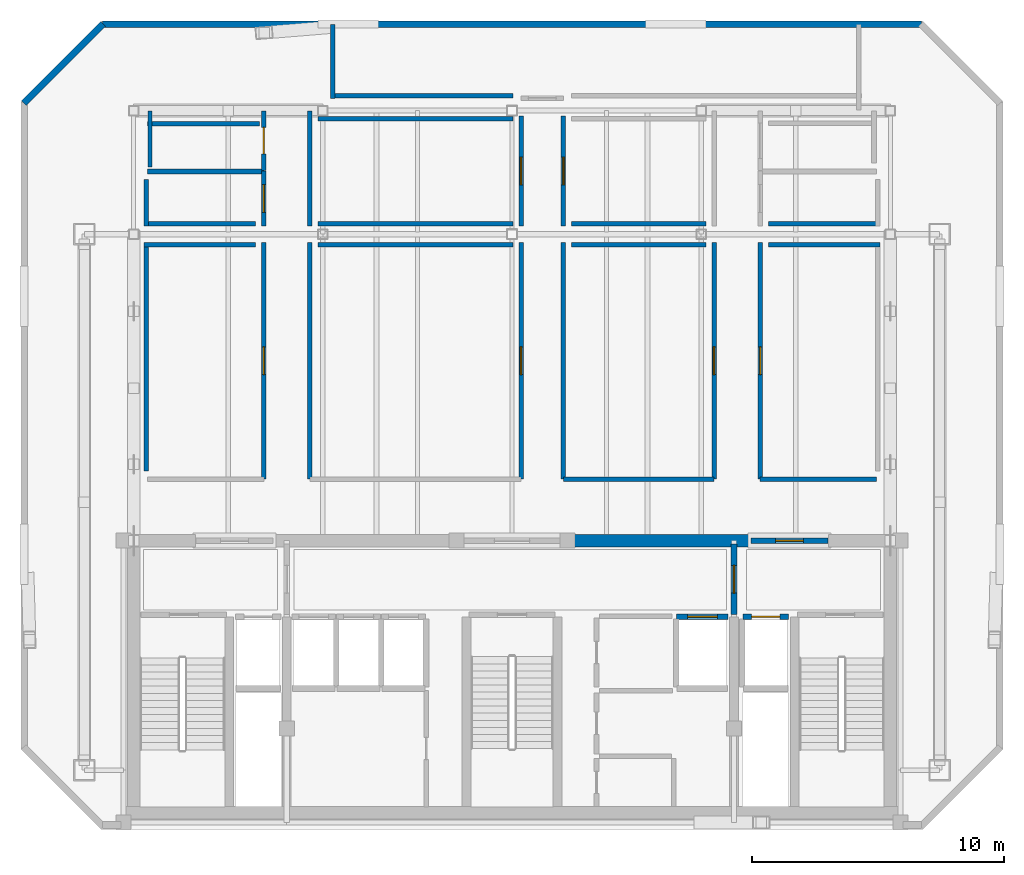
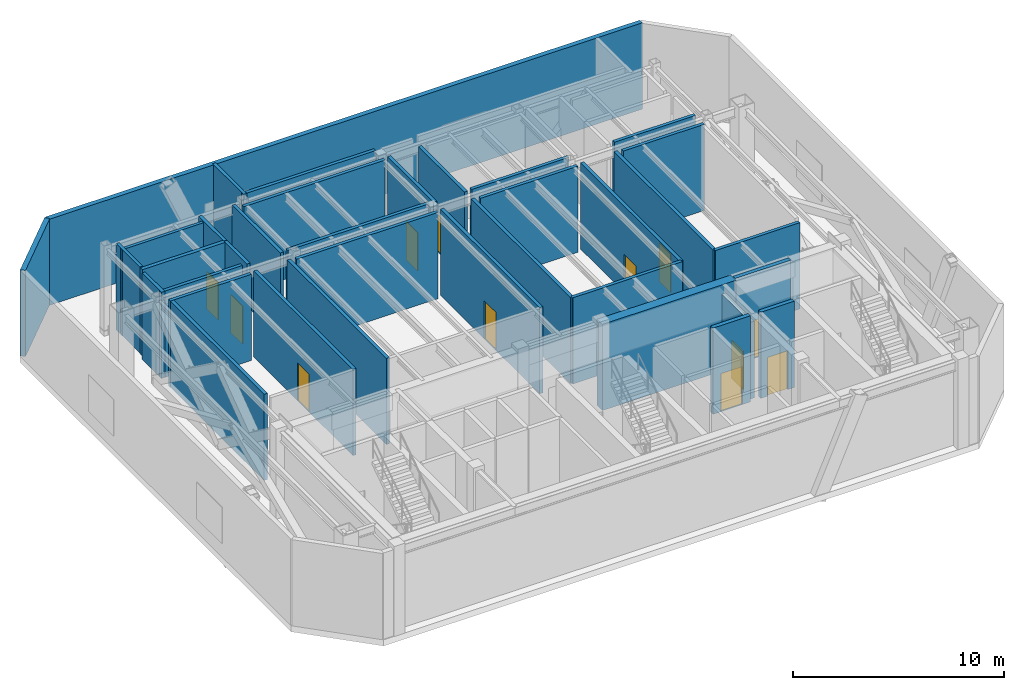
# One storey, part 4 of 7: 36 walls, 12 doors, 12 openings.
"""IFC4 building model written with IfcOpenShell, lengths in metres."""

from ifc_helpers import new_model, si_unit, direction, frame, frame_2d, origin, place, context, subcontext, project, spatial, rectangle, extrude, material, layer, layer_set, type_object, element, fill, save


model = new_model("IFC4")

# Units and contexts
model_context = context("Model", 3, precision=1e-05, world=origin(), true_north=direction((0.0, 1.0)))
body_context = subcontext(model_context, "Body", "Model", "MODEL_VIEW")
ifc_project = project(units=[si_unit("LENGTHUNIT", "METRE"), si_unit("AREAUNIT", "SQUARE_METRE"), si_unit("VOLUMEUNIT", "CUBIC_METRE"), si_unit("PLANEANGLEUNIT", "RADIAN"), si_unit("MASSUNIT", "GRAM", prefix="KILO")], contexts=[model_context])

# Site, building, storey
site_placement = place(None, origin())
site = spatial("IfcSite", under=ifc_project, at=site_placement, CompositionType="ELEMENT")
building_placement = place(site_placement, origin())
building = spatial("IfcBuilding", under=site, at=building_placement, Name="Ventersveld Concourse Tower", CompositionType="ELEMENT")
storey_placement = place(building_placement, frame((0.0, 0.0, 332.300048828125)))
storey = spatial("IfcBuildingStorey", under=building, at=storey_placement, Name="L82", CompositionType="ELEMENT", Elevation=332.300048828125)

# Wall
ifc_material_1 = material(Name="Concrete C50/60", Category="concrete")
ifc_layer_1 = layer(ifc_material_1, 0.5)
ifc_layer_set_1 = layer_set([ifc_layer_1], Name="Concrete C50/60")
wall_type_1 = type_object("IfcWallType", Name="WL-CORE-500", PredefinedType="SHEAR", material=ifc_layer_set_1)
wall_1_placement = place(storey_placement, frame((30.89990234375, 11.449951171875, 0.0), z_axis=(0.0, 0.0, 1.0), x_axis=(1.0, 0.0, 0.0)))
element("IfcWall", 1, at=wall_1_placement, inside=storey, type_object=wall_type_1, Name="L82 Rear Core North Shear Wall NMR", PredefinedType="SHEAR", context=body_context, shape_type="SweptSolid", body=[
    extrude(rectangle(XDim=7.300048828125, YDim=0.5, at=frame_2d((3.64990234375, 0.0))), origin(), (0.0, 0.0, 1.0), 4.97998046875),
])

# Wall, opening, door
ifc_material_2 = material(Name="Fire-rated autoclaved aerated masonry blockwork", Category="masonry")
ifc_layer_2 = layer(ifc_material_2, 0.179931640625)
ifc_layer_set_2 = layer_set([ifc_layer_2], Name="Fire-rated autoclaved aerated masonry blockwork")
wall_type_2 = type_object("IfcWallType", Name="WL-CORR-180", PredefinedType="PARTITIONING", material=ifc_layer_set_2)
wall_2_placement = place(storey_placement, frame((18.909912109375, 13.885009765625, 0.0), z_axis=(0.0, 0.0, 1.0), x_axis=(0.0, 1.0, 0.0)))
wall_2 = element("IfcWall", 2, at=wall_2_placement, inside=storey, type_object=wall_type_2, Name="L82 Interior Partition SP-L82-PCOR-SP-L82-REF-1", PredefinedType="PARTITIONING", context=body_context, shape_type="SweptSolid", body=[
    extrude(rectangle(XDim=9.389892578125, YDim=0.179931640625, at=frame_2d((4.69482421875, 0.0))), origin(), (0.0, 0.0, 1.0), 4.97998046875),
])
opening_1_placement = place(wall_2_placement, frame((4.14501953125, 0.0, 0.0)))
opening_1 = element("IfcOpeningElement", 3, at=opening_1_placement, cuts=wall_2, Name="Opening FD2", PredefinedType="OPENING", context=body_context, shape_type="SweptSolid", body=[
    extrude(rectangle(XDim=1.10009765625, YDim=2.199951171875, at=frame_2d((0.550048828125, 1.10009765625))), frame((0.0, 0.10009765625, 0.0), z_axis=(0.0, -1.0, 0.0), x_axis=(1.0, 0.0, 0.0)), (0.0, 0.0, 1.0), 0.199951171875),
])
ifc_material_3 = material(Name="Galvanised painted steel", Category="steel")
door_type_1 = type_object("IfcDoorType", Name="DR-FFL-110", OperationType="NOTDEFINED", PredefinedType="DOOR", material=ifc_material_3)
door_1_placement = place(opening_1_placement, origin())
door_1 = element("IfcDoor", 4, at=door_1_placement, inside=storey, type_object=door_type_1, Name="L82 Interior Door SP-L82-PCOR to SP-L82-REF-1 (FD-L82-3717)", OperationType="SINGLE_SWING_LEFT", OverallHeight=2.199951171875, OverallWidth=1.10009765625, PredefinedType="DOOR", context=body_context, shape_type="SweptSolid", body=[
    extrude(rectangle(XDim=1.10009765625, YDim=2.199951171875, at=frame_2d((0.550048828125, 1.10009765625))), frame((0.0, 0.02490234375, 0.0), z_axis=(0.0, -1.0, 0.0), x_axis=(1.0, 0.0, 0.0)), (0.0, 0.0, 1.0), 0.050048828125),
])
fill(opening_1, door_1)

wall_3_placement = place(storey_placement, frame((29.110107421875, 13.885009765625, 0.0), z_axis=(0.0, 0.0, 1.0), x_axis=(0.0, 1.0, 0.0)))
wall_3 = element("IfcWall", 5, at=wall_3_placement, inside=storey, type_object=wall_type_2, Name="L82 Interior Partition SP-L82-PCOR-SP-L82-REF-2", PredefinedType="PARTITIONING", context=body_context, shape_type="SweptSolid", body=[
    extrude(rectangle(XDim=9.389892578125, YDim=0.179931640625, at=frame_2d((4.69482421875, 0.0))), origin(), (0.0, 0.0, 1.0), 4.97998046875),
])
opening_2_placement = place(wall_3_placement, frame((4.14501953125, 0.0, 0.0)))
opening_2 = element("IfcOpeningElement", 6, at=opening_2_placement, cuts=wall_3, Name="Opening FD2", PredefinedType="OPENING", context=body_context, shape_type="SweptSolid", body=[
    extrude(rectangle(XDim=1.10009765625, YDim=2.199951171875, at=frame_2d((0.550048828125, 1.10009765625))), frame((0.0, 0.10009765625, 0.0), z_axis=(0.0, -1.0, 0.0), x_axis=(1.0, 0.0, 0.0)), (0.0, 0.0, 1.0), 0.199951171875),
])
door_2_placement = place(opening_2_placement, origin())
door_2 = element("IfcDoor", 7, at=door_2_placement, inside=storey, type_object=door_type_1, Name="L82 Interior Door SP-L82-PCOR to SP-L82-REF-2 (FD-L82-3718)", OperationType="SINGLE_SWING_RIGHT", OverallHeight=2.199951171875, OverallWidth=1.10009765625, PredefinedType="DOOR", context=body_context, shape_type="SweptSolid", body=[
    extrude(rectangle(XDim=1.10009765625, YDim=2.199951171875, at=frame_2d((0.550048828125, 1.10009765625))), frame((0.0, 0.02490234375, 0.0), z_axis=(0.0, -1.0, 0.0), x_axis=(1.0, 0.0, 0.0)), (0.0, 0.0, 1.0), 0.050048828125),
])
fill(opening_2, door_2)

# Wall
wall_4_placement = place(storey_placement, frame((20.739990234375, 13.885009765625, 0.0), z_axis=(0.0, 0.0, 1.0), x_axis=(0.0, 1.0, 0.0)))
element("IfcWall", 8, at=wall_4_placement, inside=storey, type_object=wall_type_2, Name="L82 Interior Partition SP-L82-PCOR-SP-L82-REF-2", PredefinedType="PARTITIONING", context=body_context, shape_type="SweptSolid", body=[
    extrude(rectangle(XDim=9.389892578125, YDim=0.179931640625, at=frame_2d((4.69482421875, 0.0))), origin(), (0.0, 0.0, 1.0), 4.97998046875),
])

# Wall, opening, door
wall_5_placement = place(storey_placement, frame((36.760009765625, 13.885009765625, 0.0), z_axis=(0.0, 0.0, 1.0), x_axis=(0.0, 1.0, 0.0)))
wall_5 = element("IfcWall", 9, at=wall_5_placement, inside=storey, type_object=wall_type_2, Name="L82 Interior Partition SP-L82-PCOR-SP-L82-REF-3", PredefinedType="PARTITIONING", context=body_context, shape_type="SweptSolid", body=[
    extrude(rectangle(XDim=9.389892578125, YDim=0.179931640625, at=frame_2d((4.69482421875, 0.0))), origin(), (0.0, 0.0, 1.0), 4.97998046875),
])
opening_3_placement = place(wall_5_placement, frame((4.14501953125, 0.0, 0.0)))
opening_3 = element("IfcOpeningElement", 10, at=opening_3_placement, cuts=wall_5, Name="Opening FD2", PredefinedType="OPENING", context=body_context, shape_type="SweptSolid", body=[
    extrude(rectangle(XDim=1.10009765625, YDim=2.199951171875, at=frame_2d((0.550048828125, 1.10009765625))), frame((0.0, 0.10009765625, 0.0), z_axis=(0.0, -1.0, 0.0), x_axis=(1.0, 0.0, 0.0)), (0.0, 0.0, 1.0), 0.199951171875),
])
door_3_placement = place(opening_3_placement, origin())
door_3 = element("IfcDoor", 11, at=door_3_placement, inside=storey, type_object=door_type_1, Name="L82 Interior Door SP-L82-PCOR to SP-L82-REF-3 (FD-L82-3719)", OperationType="SINGLE_SWING_LEFT", OverallHeight=2.199951171875, OverallWidth=1.10009765625, PredefinedType="DOOR", context=body_context, shape_type="SweptSolid", body=[
    extrude(rectangle(XDim=1.10009765625, YDim=2.199951171875, at=frame_2d((0.550048828125, 1.10009765625))), frame((0.0, 0.02490234375, 0.0), z_axis=(0.0, -1.0, 0.0), x_axis=(1.0, 0.0, 0.0)), (0.0, 0.0, 1.0), 0.050048828125),
])
fill(opening_3, door_3)

# Walls
wall_6_placement = place(storey_placement, frame((30.7900390625, 13.885009765625, 0.0), z_axis=(0.0, 0.0, 1.0), x_axis=(0.0, 1.0, 0.0)))
element("IfcWall", 12, at=wall_6_placement, inside=storey, type_object=wall_type_2, Name="L82 Interior Partition SP-L82-PCOR-SP-L82-REF-3", PredefinedType="PARTITIONING", context=body_context, shape_type="SweptSolid", body=[
    extrude(rectangle(XDim=9.389892578125, YDim=0.179931640625, at=frame_2d((4.69482421875, 0.0))), origin(), (0.0, 0.0, 1.0), 4.97998046875),
])
wall_7_placement = place(storey_placement, frame((30.784912109375, 13.889892578125, 0.0), z_axis=(0.0, 0.0, 1.0), x_axis=(1.0, 0.0, 0.0)))
element("IfcWall", 13, at=wall_7_placement, inside=storey, type_object=wall_type_2, Name="L82 Interior Partition SP-L82-PCOR-SP-L82-REF-3", PredefinedType="PARTITIONING", context=body_context, shape_type="SweptSolid", body=[
    extrude(rectangle(XDim=5.97998046875, YDim=0.179931640625, at=frame_2d((2.989990234375, 0.0))), origin(), (0.0, 0.0, 1.0), 4.97998046875),
])

# Wall, opening, door
wall_8_placement = place(storey_placement, frame((38.590087890625, 13.885009765625, 0.0), z_axis=(0.0, 0.0, 1.0), x_axis=(0.0, 1.0, 0.0)))
wall_8 = element("IfcWall", 14, at=wall_8_placement, inside=storey, type_object=wall_type_2, Name="L82 Interior Partition SP-L82-PCOR-SP-L82-REF-4", PredefinedType="PARTITIONING", context=body_context, shape_type="SweptSolid", body=[
    extrude(rectangle(XDim=9.389892578125, YDim=0.179931640625, at=frame_2d((4.69482421875, 0.0))), origin(), (0.0, 0.0, 1.0), 4.97998046875),
])
opening_4_placement = place(wall_8_placement, frame((4.14501953125, 0.0, 0.0)))
opening_4 = element("IfcOpeningElement", 15, at=opening_4_placement, cuts=wall_8, Name="Opening FD2", PredefinedType="OPENING", context=body_context, shape_type="SweptSolid", body=[
    extrude(rectangle(XDim=1.10009765625, YDim=2.199951171875, at=frame_2d((0.550048828125, 1.10009765625))), frame((0.0, 0.10009765625, 0.0), z_axis=(0.0, -1.0, 0.0), x_axis=(1.0, 0.0, 0.0)), (0.0, 0.0, 1.0), 0.199951171875),
])
door_4_placement = place(opening_4_placement, origin())
door_4 = element("IfcDoor", 16, at=door_4_placement, inside=storey, type_object=door_type_1, Name="L82 Interior Door SP-L82-PCOR to SP-L82-REF-4 (FD-L82-3720)", OperationType="SINGLE_SWING_RIGHT", OverallHeight=2.199951171875, OverallWidth=1.10009765625, PredefinedType="DOOR", context=body_context, shape_type="SweptSolid", body=[
    extrude(rectangle(XDim=1.10009765625, YDim=2.199951171875, at=frame_2d((0.550048828125, 1.10009765625))), frame((0.0, 0.02490234375, 0.0), z_axis=(0.0, -1.0, 0.0), x_axis=(1.0, 0.0, 0.0)), (0.0, 0.0, 1.0), 0.050048828125),
])
fill(opening_4, door_4)

# Wall
wall_9_placement = place(storey_placement, frame((38.5849609375, 13.889892578125, 0.0), z_axis=(0.0, 0.0, 1.0), x_axis=(1.0, 0.0, 0.0)))
element("IfcWall", 17, at=wall_9_placement, inside=storey, type_object=wall_type_2, Name="L82 Interior Partition SP-L82-PCOR-SP-L82-REF-4", PredefinedType="PARTITIONING", context=body_context, shape_type="SweptSolid", body=[
    extrude(rectangle(XDim=4.610107421875, YDim=0.179931640625, at=frame_2d((2.30517578125, 0.0))), origin(), (0.0, 0.0, 1.0), 4.97998046875),
])

# Wall, opening, door
wall_10_placement = place(storey_placement, frame((29.110107421875, 23.925048828125, 0.0), z_axis=(0.0, 0.0, 1.0), x_axis=(0.0, 1.0, 0.0)))
wall_10 = element("IfcWall", 18, at=wall_10_placement, inside=storey, type_object=wall_type_2, Name="L82 Interior Partition SP-L82-PCOR-SP-L82-REF-5", PredefinedType="PARTITIONING", context=body_context, shape_type="SweptSolid", body=[
    extrude(rectangle(XDim=4.349853515625, YDim=0.179931640625, at=frame_2d((2.1748046875, 0.0))), origin(), (0.0, 0.0, 1.0), 4.97998046875),
])
opening_5_placement = place(wall_10_placement, frame((1.625, 0.0, 0.0)))
opening_5 = element("IfcOpeningElement", 19, at=opening_5_placement, cuts=wall_10, Name="Opening FD2", PredefinedType="OPENING", context=body_context, shape_type="SweptSolid", body=[
    extrude(rectangle(XDim=1.10009765625, YDim=2.199951171875, at=frame_2d((0.550048828125, 1.10009765625))), frame((0.0, 0.10009765625, 0.0), z_axis=(0.0, -1.0, 0.0), x_axis=(1.0, 0.0, 0.0)), (0.0, 0.0, 1.0), 0.199951171875),
])
door_5_placement = place(opening_5_placement, origin())
door_5 = element("IfcDoor", 20, at=door_5_placement, inside=storey, type_object=door_type_1, Name="L82 Interior Door SP-L82-PCOR to SP-L82-REF-5 (FD-L82-3721)", OperationType="SINGLE_SWING_LEFT", OverallHeight=2.199951171875, OverallWidth=1.10009765625, PredefinedType="DOOR", context=body_context, shape_type="SweptSolid", body=[
    extrude(rectangle(XDim=1.10009765625, YDim=2.199951171875, at=frame_2d((0.550048828125, 1.10009765625))), frame((0.0, 0.02490234375, 0.0), z_axis=(0.0, -1.0, 0.0), x_axis=(1.0, 0.0, 0.0)), (0.0, 0.0, 1.0), 0.050048828125),
])
fill(opening_5, door_5)

# Wall
wall_11_placement = place(storey_placement, frame((20.739990234375, 23.925048828125, 0.0), z_axis=(0.0, 0.0, 1.0), x_axis=(0.0, 1.0, 0.0)))
element("IfcWall", 21, at=wall_11_placement, inside=storey, type_object=wall_type_2, Name="L82 Interior Partition SP-L82-PCOR-SP-L82-REF-5", PredefinedType="PARTITIONING", context=body_context, shape_type="SweptSolid", body=[
    extrude(rectangle(XDim=4.556884765625, YDim=0.179931640625, at=frame_2d((2.2783203125, 0.0))), origin(), (0.0, 0.0, 1.0), 4.97998046875),
])

# Wall, opening, door
wall_12_placement = place(storey_placement, frame((30.7900390625, 23.925048828125, 0.0), z_axis=(0.0, 0.0, 1.0), x_axis=(0.0, 1.0, 0.0)))
wall_12 = element("IfcWall", 22, at=wall_12_placement, inside=storey, type_object=wall_type_2, Name="L82 Interior Partition SP-L82-PCOR-SP-L82-REF-6", PredefinedType="PARTITIONING", context=body_context, shape_type="SweptSolid", body=[
    extrude(rectangle(XDim=4.349853515625, YDim=0.179931640625, at=frame_2d((2.1748046875, 0.0))), origin(), (0.0, 0.0, 1.0), 4.97998046875),
])
opening_6_placement = place(wall_12_placement, frame((1.625, 0.0, 0.0)))
opening_6 = element("IfcOpeningElement", 23, at=opening_6_placement, cuts=wall_12, Name="Opening FD2", PredefinedType="OPENING", context=body_context, shape_type="SweptSolid", body=[
    extrude(rectangle(XDim=1.10009765625, YDim=2.199951171875, at=frame_2d((0.550048828125, 1.10009765625))), frame((0.0, 0.10009765625, 0.0), z_axis=(0.0, -1.0, 0.0), x_axis=(1.0, 0.0, 0.0)), (0.0, 0.0, 1.0), 0.199951171875),
])
door_6_placement = place(opening_6_placement, origin())
door_6 = element("IfcDoor", 24, at=door_6_placement, inside=storey, type_object=door_type_1, Name="L82 Interior Door SP-L82-PCOR to SP-L82-REF-6 (FD-L82-3722)", OperationType="SINGLE_SWING_RIGHT", OverallHeight=2.199951171875, OverallWidth=1.10009765625, PredefinedType="DOOR", context=body_context, shape_type="SweptSolid", body=[
    extrude(rectangle(XDim=1.10009765625, YDim=2.199951171875, at=frame_2d((0.550048828125, 1.10009765625))), frame((0.0, 0.02490234375, 0.0), z_axis=(0.0, -1.0, 0.0), x_axis=(1.0, 0.0, 0.0)), (0.0, 0.0, 1.0), 0.050048828125),
])
fill(opening_6, door_6)

wall_13_placement = place(storey_placement, frame((18.909912109375, 23.925048828125, 0.0), z_axis=(0.0, 0.0, 1.0), x_axis=(0.0, 1.0, 0.0)))
wall_13 = element("IfcWall", 25, at=wall_13_placement, inside=storey, type_object=wall_type_2, Name="L82 Interior Partition SP-L82-PCOR-SP-L82-REF-9", PredefinedType="PARTITIONING", context=body_context, shape_type="SweptSolid", body=[
    extrude(rectangle(XDim=2.169921875, YDim=0.179931640625, at=frame_2d((1.0849609375, 0.0))), origin(), (0.0, 0.0, 1.0), 4.97998046875),
])
opening_7_placement = place(wall_13_placement, frame((0.534912109375, 0.0, 0.0)))
opening_7 = element("IfcOpeningElement", 26, at=opening_7_placement, cuts=wall_13, Name="Opening FD2", PredefinedType="OPENING", context=body_context, shape_type="SweptSolid", body=[
    extrude(rectangle(XDim=1.10009765625, YDim=2.199951171875, at=frame_2d((0.550048828125, 1.10009765625))), frame((0.0, 0.10009765625, 0.0), z_axis=(0.0, -1.0, 0.0), x_axis=(1.0, 0.0, 0.0)), (0.0, 0.0, 1.0), 0.199951171875),
])
door_7_placement = place(opening_7_placement, origin())
door_7 = element("IfcDoor", 27, at=door_7_placement, inside=storey, type_object=door_type_1, Name="L82 Interior Door SP-L82-PCOR to SP-L82-REF-9 (FD-L82-3724)", OperationType="SINGLE_SWING_RIGHT", OverallHeight=2.199951171875, OverallWidth=1.10009765625, PredefinedType="DOOR", context=body_context, shape_type="SweptSolid", body=[
    extrude(rectangle(XDim=1.10009765625, YDim=2.199951171875, at=frame_2d((0.550048828125, 1.10009765625))), frame((0.0, 0.02490234375, 0.0), z_axis=(0.0, -1.0, 0.0), x_axis=(1.0, 0.0, 0.0)), (0.0, 0.0, 1.0), 0.050048828125),
])
fill(opening_7, door_7)

wall_14_placement = place(storey_placement, frame((18.909912109375, 26.125, 0.0), z_axis=(0.0, 0.0, 1.0), x_axis=(0.0, 1.0, 0.0)))
wall_14 = element("IfcWall", 28, at=wall_14_placement, inside=storey, type_object=wall_type_2, Name="L82 Interior Partition SP-L82-PCOR-SP-L82-AWC", PredefinedType="PARTITIONING", context=body_context, shape_type="SweptSolid", body=[
    extrude(rectangle(XDim=2.35693359375, YDim=0.179931640625, at=frame_2d((1.178466796875, 0.0))), origin(), (0.0, 0.0, 1.0), 4.97998046875),
])
opening_8_placement = place(wall_14_placement, frame((0.653564453125, 0.0, 0.0)))
opening_8 = element("IfcOpeningElement", 29, at=opening_8_placement, cuts=wall_14, Name="Opening ID3", PredefinedType="OPENING", context=body_context, shape_type="SweptSolid", body=[
    extrude(rectangle(XDim=1.050048828125, YDim=2.14990234375, at=frame_2d((0.52490234375, 1.074951171875))), frame((0.0, 0.10009765625, 0.0), z_axis=(0.0, -1.0, 0.0), x_axis=(1.0, 0.0, 0.0)), (0.0, 0.0, 1.0), 0.199951171875),
])
ifc_material_4 = material(Name="Solid-core hardwood veneer timber", Category="wood")
door_type_2 = type_object("IfcDoorType", Name="DR-AWC-105", OperationType="NOTDEFINED", PredefinedType="DOOR", material=ifc_material_4)
door_8_placement = place(opening_8_placement, origin())
door_8 = element("IfcDoor", 30, at=door_8_placement, inside=storey, type_object=door_type_2, Name="L82 Interior Door SP-L82-PCOR to SP-L82-AWC (WD-L82-3726)", OperationType="SINGLE_SWING_RIGHT", OverallHeight=2.14990234375, OverallWidth=1.050048828125, PredefinedType="DOOR", context=body_context, shape_type="SweptSolid", body=[
    extrude(rectangle(XDim=1.050048828125, YDim=2.14990234375, at=frame_2d((0.52490234375, 1.074951171875))), frame((0.0, 0.02490234375, 0.0), z_axis=(0.0, -1.0, 0.0), x_axis=(1.0, 0.0, 0.0)), (0.0, 0.0, 1.0), 0.050048828125),
])
fill(opening_8, door_8)

# Walls
wall_15_placement = place(storey_placement, frame((18.5849609375, 23.179931640625, 0.0), z_axis=(0.0, 0.0, 1.0), x_axis=(-1.0, 0.0, 0.0)))
element("IfcWall", 31, at=wall_15_placement, inside=storey, type_object=wall_type_2, Name="L82 Room Enclosure Wall SP-L82-REF-1", PredefinedType="PARTITIONING", context=body_context, shape_type="SweptSolid", body=[
    extrude(rectangle(XDim=4.429931640625, YDim=0.179931640625, at=frame_2d((2.21484375, 0.0))), origin(), (0.0, 0.0, 1.0), 4.97998046875),
])
wall_16_placement = place(storey_placement, frame((14.25, 23.27490234375, 0.0), z_axis=(0.0, 0.0, 1.0), x_axis=(0.0, -1.0, 0.0)))
element("IfcWall", 32, at=wall_16_placement, inside=storey, type_object=wall_type_2, Name="L82 Room Enclosure Wall SP-L82-REF-1", PredefinedType="PARTITIONING", context=body_context, shape_type="SweptSolid", body=[
    extrude(rectangle(XDim=9.06396484375, YDim=0.179931640625, at=frame_2d((4.531982421875, 0.0))), origin(), (0.0, 0.0, 1.0), 4.97998046875),
])
wall_17_placement = place(storey_placement, frame((28.784912109375, 23.179931640625, 0.0), z_axis=(0.0, 0.0, 1.0), x_axis=(-1.0, 0.0, 0.0)))
element("IfcWall", 33, at=wall_17_placement, inside=storey, type_object=wall_type_2, Name="L82 Room Enclosure Wall SP-L82-REF-2", PredefinedType="PARTITIONING", context=body_context, shape_type="SweptSolid", body=[
    extrude(rectangle(XDim=7.719970703125, YDim=0.179931640625, at=frame_2d((3.85986328125, 0.0))), origin(), (0.0, 0.0, 1.0), 4.97998046875),
])
wall_18_placement = place(storey_placement, frame((36.43505859375, 23.179931640625, 0.0), z_axis=(0.0, 0.0, 1.0), x_axis=(-1.0, 0.0, 0.0)))
element("IfcWall", 34, at=wall_18_placement, inside=storey, type_object=wall_type_2, Name="L82 Room Enclosure Wall SP-L82-REF-3", PredefinedType="PARTITIONING", context=body_context, shape_type="SweptSolid", body=[
    extrude(rectangle(XDim=5.320068359375, YDim=0.179931640625, at=frame_2d((2.66015625, 0.0))), origin(), (0.0, 0.0, 1.0), 4.97998046875),
])
wall_19_placement = place(storey_placement, frame((43.344970703125, 23.179931640625, 0.0), z_axis=(0.0, 0.0, 1.0), x_axis=(-1.0, 0.0, 0.0)))
element("IfcWall", 35, at=wall_19_placement, inside=storey, type_object=wall_type_2, Name="L82 Room Enclosure Wall SP-L82-REF-4", PredefinedType="PARTITIONING", context=body_context, shape_type="SweptSolid", body=[
    extrude(rectangle(XDim=4.429931640625, YDim=0.179931640625, at=frame_2d((2.21484375, 0.0))), origin(), (0.0, 0.0, 1.0), 4.97998046875),
])
for number, where, z_axis, x_axis, name in (
    (36, (21.06494140625, 24.02001953125, 0.0), (0.0, 0.0, 1.0), (1.0, 0.0, 0.0), "L82 Room Enclosure Wall SP-L82-REF-5"),
    (37, (28.784912109375, 28.179931640625, 0.0), (0.0, 0.0, 1.0), (-1.0, 0.0, 0.0), "L82 Room Enclosure Wall SP-L82-REF-5"),
):
    element("IfcWall", number, at=place(storey_placement, frame(where, z_axis=z_axis, x_axis=x_axis)), inside=storey, type_object=wall_type_2, Name=name, PredefinedType="PARTITIONING", context=body_context, shape_type="SweptSolid", body=[
        extrude(rectangle(XDim=7.719970703125, YDim=0.179931640625, at=frame_2d((3.85986328125, 0.0))), origin(), (0.0, 0.0, 1.0), 4.97998046875),
    ])
wall_20_placement = place(storey_placement, frame((31.114990234375, 24.02001953125, 0.0), z_axis=(0.0, 0.0, 1.0), x_axis=(1.0, 0.0, 0.0)))
element("IfcWall", 38, at=wall_20_placement, inside=storey, type_object=wall_type_2, Name="L82 Room Enclosure Wall SP-L82-REF-6", PredefinedType="PARTITIONING", context=body_context, shape_type="SweptSolid", body=[
    extrude(rectangle(XDim=5.320068359375, YDim=0.179931640625, at=frame_2d((2.66015625, 0.0))), origin(), (0.0, 0.0, 1.0), 4.97998046875),
])
wall_21_placement = place(storey_placement, frame((21.554931640625, 29.080078125, 0.0), z_axis=(0.0, 0.0, 1.0), x_axis=(1.0, 0.0, 0.0)))
element("IfcWall", 39, at=wall_21_placement, inside=storey, type_object=wall_type_2, Name="L82 Room Enclosure Wall SP-L82-REF-7", PredefinedType="PARTITIONING", context=body_context, shape_type="SweptSolid", body=[
    extrude(rectangle(XDim=7.235107421875, YDim=0.179931640625, at=frame_2d((3.61767578125, 0.0))), origin(), (0.0, 0.0, 1.0), 4.97998046875),
])
wall_22_placement = place(storey_placement, frame((21.64990234375, 31.909912109375, 0.0), z_axis=(0.0, 0.0, 1.0), x_axis=(0.0, -1.0, 0.0)))
element("IfcWall", 40, at=wall_22_placement, inside=storey, type_object=wall_type_2, Name="L82 Room Enclosure Wall SP-L82-REF-7", PredefinedType="PARTITIONING", context=body_context, shape_type="SweptSolid", body=[
    extrude(rectangle(XDim=2.9248046875, YDim=0.179931640625, at=frame_2d((1.46240234375, 0.0))), origin(), (0.0, 0.0, 1.0), 4.97998046875),
])
wall_23_placement = place(storey_placement, frame((14.155029296875, 24.02001953125, 0.0), z_axis=(0.0, 0.0, 1.0), x_axis=(1.0, 0.0, 0.0)))
element("IfcWall", 41, at=wall_23_placement, inside=storey, type_object=wall_type_2, Name="L82 Room Enclosure Wall SP-L82-REF-9", PredefinedType="PARTITIONING", context=body_context, shape_type="SweptSolid", body=[
    extrude(rectangle(XDim=4.429931640625, YDim=0.179931640625, at=frame_2d((2.21484375, 0.0))), origin(), (0.0, 0.0, 1.0), 4.97998046875),
])
wall_24_placement = place(storey_placement, frame((14.25, 25.76904296875, 0.0), z_axis=(0.0, 0.0, 1.0), x_axis=(0.0, -1.0, 0.0)))
element("IfcWall", 42, at=wall_24_placement, inside=storey, type_object=wall_type_2, Name="L82 Room Enclosure Wall SP-L82-REF-9", PredefinedType="PARTITIONING", context=body_context, shape_type="SweptSolid", body=[
    extrude(rectangle(XDim=1.843994140625, YDim=0.179931640625, at=frame_2d((0.921875, 0.0))), origin(), (0.0, 0.0, 1.0), 4.97998046875),
])
wall_25_placement = place(storey_placement, frame((38.9150390625, 24.02001953125, 0.0), z_axis=(0.0, 0.0, 1.0), x_axis=(1.0, 0.0, 0.0)))
element("IfcWall", 43, at=wall_25_placement, inside=storey, type_object=wall_type_2, Name="L82 Room Enclosure Wall SP-L82-REF-10", PredefinedType="PARTITIONING", context=body_context, shape_type="SweptSolid", body=[
    extrude(rectangle(XDim=4.429931640625, YDim=0.179931640625, at=frame_2d((2.21484375, 0.0))), origin(), (0.0, 0.0, 1.0), 4.97998046875),
])
ifc_layer_3 = layer(ifc_material_2, 0.199951171875)
ifc_layer_set_3 = layer_set([ifc_layer_3], Name="Fire-rated autoclaved aerated masonry blockwork")
wall_type_3 = type_object("IfcWallType", Name="WL-DEMISE-200", PredefinedType="PARTITIONING", material=ifc_layer_set_3)
wall_26_placement = place(storey_placement, frame((14.304931640625, 26.090087890625, 0.0), z_axis=(0.0, 0.0, 1.0), x_axis=(1.0, 0.0, 0.0)))
element("IfcWall", 44, at=wall_26_placement, inside=storey, type_object=wall_type_3, Name="L82 Interior Partition SP-L82-REF-9-SP-L82-AWC", PredefinedType="PARTITIONING", context=body_context, shape_type="SweptSolid", body=[
    extrude(rectangle(XDim=4.610107421875, YDim=0.199951171875, at=frame_2d((2.30517578125, 0.0))), origin(), (0.0, 0.0, 1.0), 4.97998046875),
])

# Wall, opening, door
ifc_layer_4 = layer(ifc_material_2, 0.219970703125)
ifc_layer_set_4 = layer_set([ifc_layer_4], Name="Fire-rated autoclaved aerated masonry blockwork")
wall_type_4 = type_object("IfcWallType", Name="WL-HOIST-220", PredefinedType="SOLIDWALL", material=ifc_layer_set_4)
wall_27_placement = place(storey_placement, frame((37.89990234375, 8.429931640625, 0.0), z_axis=(0.0, 0.0, 1.0), x_axis=(1.0, 0.0, 0.0)))
wall_27 = element("IfcWall", 45, at=wall_27_placement, inside=storey, type_object=wall_type_4, Name="L82 Lift Hoistway Front Wall FFL-02", PredefinedType="SOLIDWALL", context=body_context, shape_type="SweptSolid", body=[
    extrude(rectangle(XDim=1.820068359375, YDim=0.219970703125, at=frame_2d((0.91015625, 0.0))), origin(), (0.0, 0.0, 1.0), 4.97998046875),
])
opening_9_placement = place(wall_27_placement, frame((0.35009765625, 0.0, 0.0)))
opening_9 = element("IfcOpeningElement", 46, at=opening_9_placement, cuts=wall_27, Name="Opening LD1", PredefinedType="OPENING", context=body_context, shape_type="SweptSolid", body=[
    extrude(rectangle(XDim=1.1201171875, YDim=2.25, at=frame_2d((0.56005859375, 1.125))), frame((0.0, 0.1201171875, 0.0), z_axis=(0.0, -1.0, 0.0), x_axis=(1.0, 0.0, 0.0)), (0.0, 0.0, 1.0), 0.239990234375),
])
ifc_material_5 = material(Name="Brushed stainless steel 316", Category="steel")
door_type_3 = type_object("IfcDoorType", Name="LD-FF-112", OperationType="SLIDING_TO_LEFT", PredefinedType="DOOR", material=ifc_material_5)
door_9_placement = place(opening_9_placement, origin())
door_9 = element("IfcDoor", 47, at=door_9_placement, inside=storey, type_object=door_type_3, Name="L82 Lift landing door FFL-02 (LD-L82-FFL-02)", OperationType="SLIDING_TO_LEFT", OverallHeight=2.25, OverallWidth=1.1201171875, PredefinedType="DOOR", context=body_context, shape_type="SweptSolid", body=[
    extrude(rectangle(XDim=1.1201171875, YDim=2.25, at=frame_2d((0.56005859375, 1.125))), frame((0.0, 0.02490234375, 0.0), z_axis=(0.0, -1.0, 0.0), x_axis=(1.0, 0.0, 0.0)), (0.0, 0.0, 1.0), 0.050048828125),
])
fill(opening_9, door_9)

wall_28_placement = place(storey_placement, frame((35.280029296875, 8.429931640625, 0.0), z_axis=(0.0, 0.0, 1.0), x_axis=(1.0, 0.0, 0.0)))
wall_28 = element("IfcWall", 48, at=wall_28_placement, inside=storey, type_object=wall_type_4, Name="L82 Lift Hoistway Front Wall SVL-01", PredefinedType="SOLIDWALL", context=body_context, shape_type="SweptSolid", body=[
    extrude(rectangle(XDim=2.0400390625, YDim=0.219970703125, at=frame_2d((1.02001953125, 0.0))), origin(), (0.0, 0.0, 1.0), 4.97998046875),
])
opening_10_placement = place(wall_28_placement, frame((0.429931640625, 0.0, 0.0)))
opening_10 = element("IfcOpeningElement", 49, at=opening_10_placement, cuts=wall_28, Name="Opening LD2", PredefinedType="OPENING", context=body_context, shape_type="SweptSolid", body=[
    extrude(rectangle(XDim=1.179931640625, YDim=2.199951171875, at=frame_2d((0.58984375, 1.10009765625))), frame((0.0, 0.1201171875, 0.0), z_axis=(0.0, -1.0, 0.0), x_axis=(1.0, 0.0, 0.0)), (0.0, 0.0, 1.0), 0.239990234375),
])
door_type_4 = type_object("IfcDoorType", Name="LD-PAX-118", OperationType="SLIDING_TO_LEFT", PredefinedType="DOOR", material=ifc_material_5)
door_10_placement = place(opening_10_placement, origin())
door_10 = element("IfcDoor", 50, at=door_10_placement, inside=storey, type_object=door_type_4, Name="L82 Lift landing door SVL-01 (LD-L82-SVL-01)", OperationType="SLIDING_TO_RIGHT", OverallHeight=2.199951171875, OverallWidth=1.179931640625, PredefinedType="DOOR", context=body_context, shape_type="SweptSolid", body=[
    extrude(rectangle(XDim=1.179931640625, YDim=2.199951171875, at=frame_2d((0.58984375, 1.10009765625))), frame((0.0, 0.02490234375, 0.0), z_axis=(0.0, -1.0, 0.0), x_axis=(1.0, 0.0, 0.0)), (0.0, 0.0, 1.0), 0.050048828125),
])
fill(opening_10, door_10)

wall_29_placement = place(storey_placement, frame((37.550048828125, 8.52001953125, 0.0), z_axis=(0.0, 0.0, 1.0), x_axis=(0.0, 1.0, 0.0)))
wall_29 = element("IfcWall", 51, at=wall_29_placement, inside=storey, type_object=wall_type_4, Name="L82 Firefighting Lobby Smoke-Stop Wall FFLE-SEP", PredefinedType="SOLIDWALL", context=body_context, shape_type="SweptSolid", body=[
    extrude(rectangle(XDim=2.800048828125, YDim=0.219970703125, at=frame_2d((1.39990234375, 0.0))), origin(), (0.0, 0.0, 1.0), 4.435546875),
])
opening_11_placement = place(wall_29_placement, frame((0.85009765625, 0.0, 0.0)))
opening_11 = element("IfcOpeningElement", 52, at=opening_11_placement, cuts=wall_29, Name="Opening FD2", PredefinedType="OPENING", context=body_context, shape_type="SweptSolid", body=[
    extrude(rectangle(XDim=1.10009765625, YDim=2.199951171875, at=frame_2d((0.550048828125, 1.10009765625))), frame((0.0, 0.1201171875, 0.0), z_axis=(0.0, -1.0, 0.0), x_axis=(1.0, 0.0, 0.0)), (0.0, 0.0, 1.0), 0.239990234375),
])
door_11_placement = place(opening_11_placement, origin())
door_11 = element("IfcDoor", 53, at=door_11_placement, inside=storey, type_object=door_type_1, Name="L82 Firefighting Lobby Door FFLE-SEP (FD-L82-3709)", OperationType="SINGLE_SWING_RIGHT", OverallHeight=2.199951171875, OverallWidth=1.10009765625, PredefinedType="DOOR", context=body_context, shape_type="SweptSolid", body=[
    extrude(rectangle(XDim=1.10009765625, YDim=2.199951171875, at=frame_2d((0.550048828125, 1.10009765625))), frame((0.0, 0.02490234375, 0.0), z_axis=(0.0, -1.0, 0.0), x_axis=(1.0, 0.0, 0.0)), (0.0, 0.0, 1.0), 0.050048828125),
])
fill(opening_11, door_11)

wall_30_placement = place(storey_placement, frame((38.22998046875, 11.449951171875, 0.0), z_axis=(0.0, 0.0, 1.0), x_axis=(1.0, 0.0, 0.0)))
wall_30 = element("IfcWall", 54, at=wall_30_placement, inside=storey, type_object=wall_type_4, Name="L82 Core North Fire Portal FFLE-OUT", PredefinedType="SOLIDWALL", context=body_context, shape_type="SweptSolid", body=[
    extrude(rectangle(XDim=3.0400390625, YDim=0.219970703125, at=frame_2d((1.52001953125, 0.0))), origin(), (0.0, 0.0, 1.0), 4.97998046875),
])
opening_12_placement = place(wall_30_placement, frame((0.969970703125, 0.0, 0.0)))
opening_12 = element("IfcOpeningElement", 55, at=opening_12_placement, cuts=wall_30, Name="Opening FD2", PredefinedType="OPENING", context=body_context, shape_type="SweptSolid", body=[
    extrude(rectangle(XDim=1.10009765625, YDim=2.199951171875, at=frame_2d((0.550048828125, 1.10009765625))), frame((0.0, 0.1201171875, 0.0), z_axis=(0.0, -1.0, 0.0), x_axis=(1.0, 0.0, 0.0)), (0.0, 0.0, 1.0), 0.239990234375),
])
door_12_placement = place(opening_12_placement, origin())
door_12 = element("IfcDoor", 56, at=door_12_placement, inside=storey, type_object=door_type_1, Name="L82 Refuge Area Entry Door (FD-L82-3712)", OperationType="SINGLE_SWING_LEFT", OverallHeight=2.199951171875, OverallWidth=1.10009765625, PredefinedType="DOOR", context=body_context, shape_type="SweptSolid", body=[
    extrude(rectangle(XDim=1.10009765625, YDim=2.199951171875, at=frame_2d((0.550048828125, 1.10009765625))), frame((0.0, 0.02490234375, 0.0), z_axis=(0.0, -1.0, 0.0), x_axis=(1.0, 0.0, 0.0)), (0.0, 0.0, 1.0), 0.050048828125),
])
fill(opening_12, door_12)

# Walls
ifc_material_6 = material(Name="Precast concrete C45/55", Category="concrete")
ifc_layer_5 = layer(ifc_material_6, 0.260009765625)
ifc_layer_set_5 = layer_set([ifc_layer_5], Name="Precast concrete C45/55")
wall_type_5 = type_object("IfcWallType", Name="WL-PREC-260", PredefinedType="SOLIDWALL", material=ifc_layer_set_5)
wall_31_placement = place(storey_placement, frame((44.982666015625, 31.929443359375, 0.0), z_axis=(0.0, 0.0, 1.0), x_axis=(-1.0, 0.0, 0.0)))
element("IfcWall", 57, at=wall_31_placement, inside=storey, type_object=wall_type_5, Name="L82 Highveld Precast Facade Wall E05", PredefinedType="SOLIDWALL", context=body_context, shape_type="SweptSolid", body=[
    extrude(rectangle(XDim=32.46533203125, YDim=0.260009765625, at=frame_2d((16.232666015625, 0.0))), origin(), (0.0, 0.0, 1.0), 4.97998046875),
])
wall_32_placement = place(storey_placement, frame((12.541015625, 31.939208984375, 0.0), z_axis=(0.0, 0.0, 1.0), x_axis=(-0.707134240044, -0.707079321262, 0.0)))
element("IfcWall", 58, at=wall_32_placement, inside=storey, type_object=wall_type_5, Name="L82 Highveld Precast Facade Wall E06", PredefinedType="SOLIDWALL", context=body_context, shape_type="SweptSolid", body=[
    extrude(rectangle(XDim=4.445556640625, YDim=0.260009765625, at=frame_2d((2.22265625, 0.0))), origin(), (0.0, 0.0, 1.0), 4.97998046875),
])
ifc_material_7 = material(Name="Autoclaved aerated masonry blockwork", Category="masonry")
ifc_layer_6 = layer(ifc_material_7, 0.1650390625)
ifc_layer_set_6 = layer_set([ifc_layer_6], Name="Autoclaved aerated masonry blockwork")
wall_type_6 = type_object("IfcWallType", Name="WL-WET-165", PredefinedType="PLUMBINGWALL", material=ifc_layer_set_6)
wall_33_placement = place(storey_placement, frame((18.7451171875, 27.97998046875, 0.0), z_axis=(0.0, 0.0, 1.0), x_axis=(-1.0, 0.0, 0.0)))
element("IfcWall", 59, at=wall_33_placement, inside=storey, type_object=wall_type_6, Name="L82 Room Enclosure Wall SP-L82-AWC", PredefinedType="PLUMBINGWALL", context=body_context, shape_type="SweptSolid", body=[
    extrude(rectangle(XDim=4.440185546875, YDim=0.1650390625, at=frame_2d((2.22021484375, 0.0))), origin(), (0.0, 0.0, 1.0), 4.97998046875),
])
wall_34_placement = place(storey_placement, frame((14.39990234375, 28.48193359375, 0.0), z_axis=(0.0, 0.0, 1.0), x_axis=(0.0, -1.0, 0.0)))
element("IfcWall", 60, at=wall_34_placement, inside=storey, type_object=wall_type_6, Name="L82 Room Enclosure Wall SP-L82-AWC", PredefinedType="PLUMBINGWALL", context=body_context, shape_type="SweptSolid", body=[
    extrude(rectangle(XDim=2.22705078125, YDim=0.1650390625, at=frame_2d((1.113525390625, 0.0))), origin(), (0.0, 0.0, 1.0), 4.97998046875),
])

save(model, "model.ifc")
